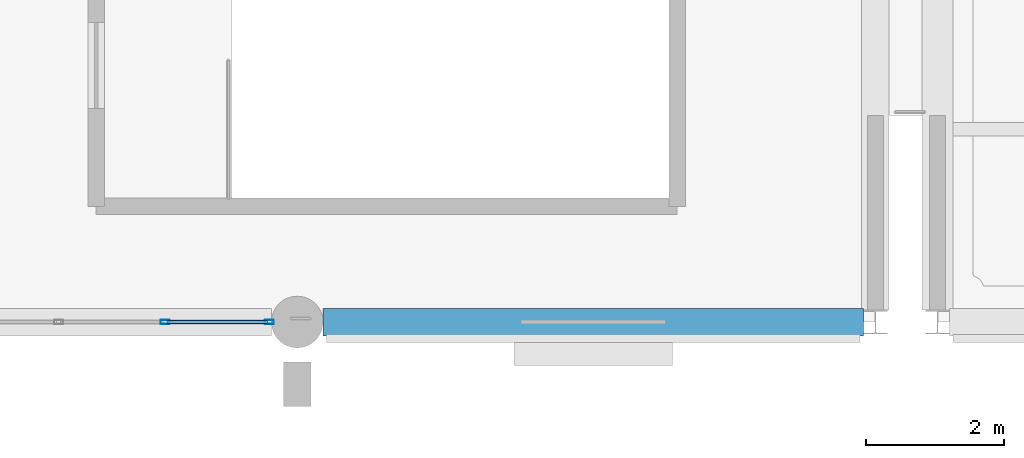
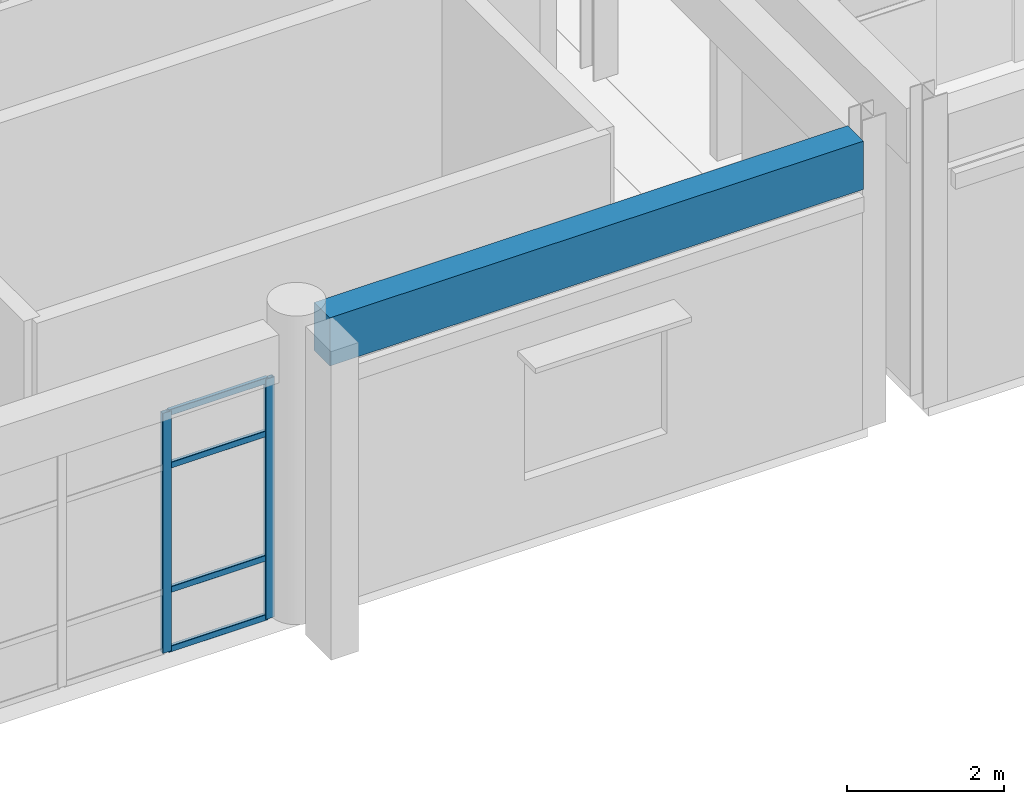
# One storey, part 11 of 139: 6 members, 1 beam, 1 element without a shape of its own.
"""IFC4 building model written with IfcOpenShell, lengths in metres."""

from ifc_helpers import new_model, si_unit, direction, frame, origin, origin_2d, place, context, subcontext, project, spatial, rectangle, hollow_rectangle, extrude, material, material_profile, profile_set, type_object, element, aggregate, save


model = new_model("IFC4")

# Units and contexts
model_context = context("Model", 3, precision=1e-05, world=origin(), true_north=direction((0.0, 1.0)))
body_context = subcontext(model_context, "Body", "Model", "MODEL_VIEW")
ifc_project = project(units=[si_unit("LENGTHUNIT", "METRE"), si_unit("AREAUNIT", "SQUARE_METRE"), si_unit("VOLUMEUNIT", "CUBIC_METRE"), si_unit("PLANEANGLEUNIT", "RADIAN"), si_unit("MASSUNIT", "GRAM", prefix="KILO")], contexts=[model_context])

# Site, building, storey
site_placement = place(None, origin())
site = spatial("IfcSite", under=ifc_project, at=site_placement, CompositionType="ELEMENT")
building_placement = place(site_placement, origin())
building = spatial("IfcBuilding", under=site, at=building_placement, Name="Canglan Escarpment Cableway Terminal", CompositionType="ELEMENT")
storey_placement = place(building_placement, frame((0.0, 0.0, 14.39990234375)))
storey = spatial("IfcBuildingStorey", under=building, at=storey_placement, Name="L03", CompositionType="ELEMENT", Elevation=14.39990234375)

# Curtain wall, members
ifc_material_1 = material(Name="Anodized bronze aluminium and Low-E double glazing", Category="aluminium")
curtain_wall_type = type_object("IfcCurtainWallType", Name="CW-BAY-7725x3725", PredefinedType="NOTDEFINED", material=ifc_material_1)
curtain_wall_placement = place(storey_placement, origin())
curtain_wall = element("IfcCurtainWall", 1, at=curtain_wall_placement, inside=storey, type_object=curtain_wall_type, Name="Classical bay-between-piers glazed curtain wall CW-13", PredefinedType="NOTDEFINED")
ifc_material_2 = material(Name="Thermally broken anodized aluminium 6063-T6", Category="aluminium")
ifc_material_profile_1 = material_profile(ifc_material_2, hollow_rectangle(XDim=0.06005859375, YDim=0.1298828125, WallThickness=0.0029296875, InnerFilletRadius=0.0029296875, OuterFilletRadius=0.006103515625, at=origin_2d()), Name="ALU-MULL 60x130x3")
ifc_profile_set_1 = profile_set([ifc_material_profile_1], Name="Thermally broken anodized aluminium 6063-T6")
member_type_1 = type_object("IfcMemberType", Name="CWM-01", PredefinedType="MULLION", material=ifc_profile_set_1)
member_1_placement = place(storey_placement, frame((100.280029296875, 8.0, 0.0), z_axis=(0.0, 0.0, 1.0), x_axis=(0.0, 1.0, 0.0)))
member_1 = element("IfcMember", 2, at=member_1_placement, type_object=member_type_1, Name="CW-13 mullion 5", PredefinedType="MULLION", context=body_context, shape_type="SweptSolid", body=[
    extrude(hollow_rectangle(XDim=0.06005859375, YDim=0.1298828125, WallThickness=0.0029296875, InnerFilletRadius=0.0029296875, OuterFilletRadius=0.006103515625, at=origin_2d()), origin(), (0.0, 0.0, 1.0), 3.735107421875),
])
member_2_placement = place(storey_placement, frame((101.794921875, 8.0, 0.0), z_axis=(0.0, 0.0, 1.0), x_axis=(0.0, 1.0, 0.0)))
member_2 = element("IfcMember", 3, at=member_2_placement, type_object=member_type_1, Name="CW-13 mullion 6", PredefinedType="MULLION", context=body_context, shape_type="SweptSolid", body=[
    extrude(hollow_rectangle(XDim=0.06005859375, YDim=0.1298828125, WallThickness=0.0029296875, InnerFilletRadius=0.0029296875, OuterFilletRadius=0.006103515625, at=origin_2d()), origin(), (0.0, 0.0, 1.0), 3.735107421875),
])
ifc_material_profile_2 = material_profile(ifc_material_2, hollow_rectangle(XDim=0.054931640625, YDim=0.094970703125, WallThickness=0.0029296875, InnerFilletRadius=0.0029296875, OuterFilletRadius=0.006103515625, at=origin_2d()), Name="ALU-TRAN 55x95x3")
ifc_profile_set_2 = profile_set([ifc_material_profile_2], Name="Thermally broken anodized aluminium 6063-T6")
member_type_2 = type_object("IfcMemberType", Name="CWT-01", PredefinedType="USERDEFINED", material=ifc_profile_set_2)
member_3_placement = place(storey_placement, frame((100.31005859375, 8.0, 0.027587890625), z_axis=(1.0, 0.0, 0.0), x_axis=(0.0, 1.0, 0.0)))
member_3 = element("IfcMember", 4, at=member_3_placement, type_object=member_type_2, Name="CW-13 transom 5.1", ObjectType="TRANSOM", PredefinedType="USERDEFINED", context=body_context, shape_type="SweptSolid", body=[
    extrude(hollow_rectangle(XDim=0.054931640625, YDim=0.094970703125, WallThickness=0.0029296875, InnerFilletRadius=0.0029296875, OuterFilletRadius=0.006103515625, at=origin_2d()), origin(), (0.0, 0.0, 1.0), 1.454833984375),
])
member_4_placement = place(storey_placement, frame((100.31005859375, 8.0, 0.9501953125), z_axis=(1.0, 0.0, 0.0), x_axis=(0.0, 1.0, 0.0)))
member_4 = element("IfcMember", 5, at=member_4_placement, type_object=member_type_2, Name="CW-13 transom 5.2", ObjectType="TRANSOM", PredefinedType="USERDEFINED", context=body_context, shape_type="SweptSolid", body=[
    extrude(hollow_rectangle(XDim=0.054931640625, YDim=0.094970703125, WallThickness=0.0029296875, InnerFilletRadius=0.0029296875, OuterFilletRadius=0.006103515625, at=origin_2d()), origin(), (0.0, 0.0, 1.0), 1.454833984375),
])
member_5_placement = place(storey_placement, frame((100.31005859375, 8.0, 2.885009765625), z_axis=(1.0, 0.0, 0.0), x_axis=(0.0, 1.0, 0.0)))
member_5 = element("IfcMember", 6, at=member_5_placement, type_object=member_type_2, Name="CW-13 transom 5.3", ObjectType="TRANSOM", PredefinedType="USERDEFINED", context=body_context, shape_type="SweptSolid", body=[
    extrude(hollow_rectangle(XDim=0.054931640625, YDim=0.094970703125, WallThickness=0.0029296875, InnerFilletRadius=0.0029296875, OuterFilletRadius=0.006103515625, at=origin_2d()), origin(), (0.0, 0.0, 1.0), 1.454833984375),
])
member_6_placement = place(storey_placement, frame((100.31005859375, 8.0, 3.70751953125), z_axis=(1.0, 0.0, 0.0), x_axis=(0.0, 1.0, 0.0)))
member_6 = element("IfcMember", 7, at=member_6_placement, type_object=member_type_2, Name="CW-13 transom 5.4", ObjectType="TRANSOM", PredefinedType="USERDEFINED", context=body_context, shape_type="SweptSolid", body=[
    extrude(hollow_rectangle(XDim=0.054931640625, YDim=0.094970703125, WallThickness=0.0029296875, InnerFilletRadius=0.0029296875, OuterFilletRadius=0.006103515625, at=origin_2d()), origin(), (0.0, 0.0, 1.0), 1.454833984375),
])
aggregate(curtain_wall, [member_1, member_2, member_3, member_4, member_5, member_6])

# Beam
ifc_material_3 = material(Name="Concrete C40", Category="concrete")
ifc_material_profile_3 = material_profile(ifc_material_3, rectangle(XDim=0.39990234375, YDim=0.75, at=origin_2d()), Name="RC 400x750")
ifc_profile_set_3 = profile_set([ifc_material_profile_3], Name="Concrete C40")
beam_type = type_object("IfcBeamType", Name="SP-RC400x750", PredefinedType="SPANDREL", material=ifc_profile_set_3)
beam_placement = place(storey_placement, frame((102.574951171875, 8.0, 4.125), z_axis=(1.0, 0.0, 0.0), x_axis=(0.0, 1.0, 0.0)))
element("IfcBeam", 8, at=beam_placement, inside=storey, type_object=beam_type, Name="Primary structural girder SP-01", PredefinedType="SPANDREL", context=body_context, shape_type="SweptSolid", body=[
    extrude(rectangle(XDim=0.39990234375, YDim=0.75, at=origin_2d()), origin(), (0.0, 0.0, 1.0), 7.85009765625),
])

save(model, "model.ifc")
